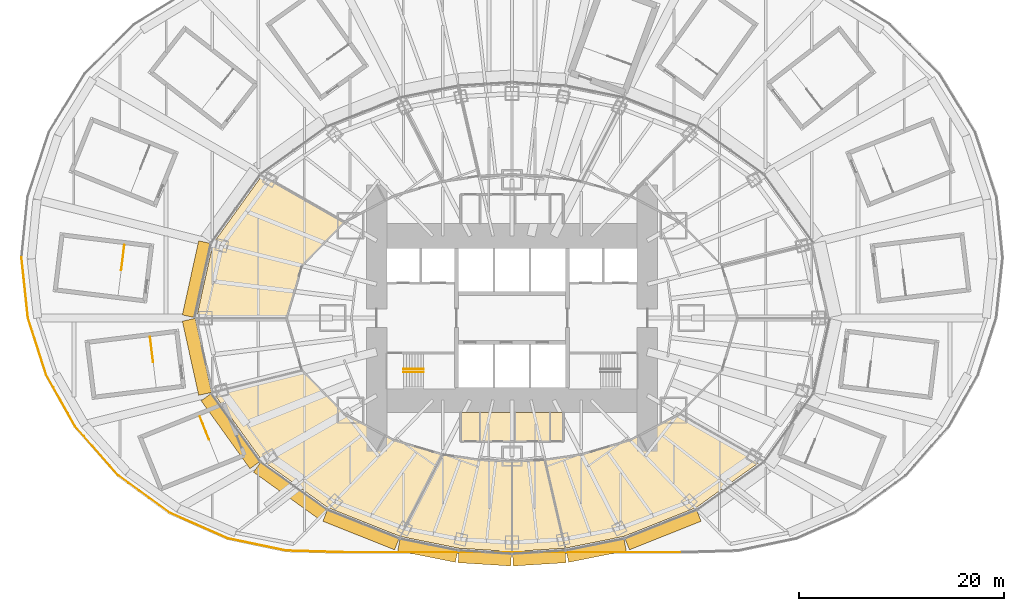
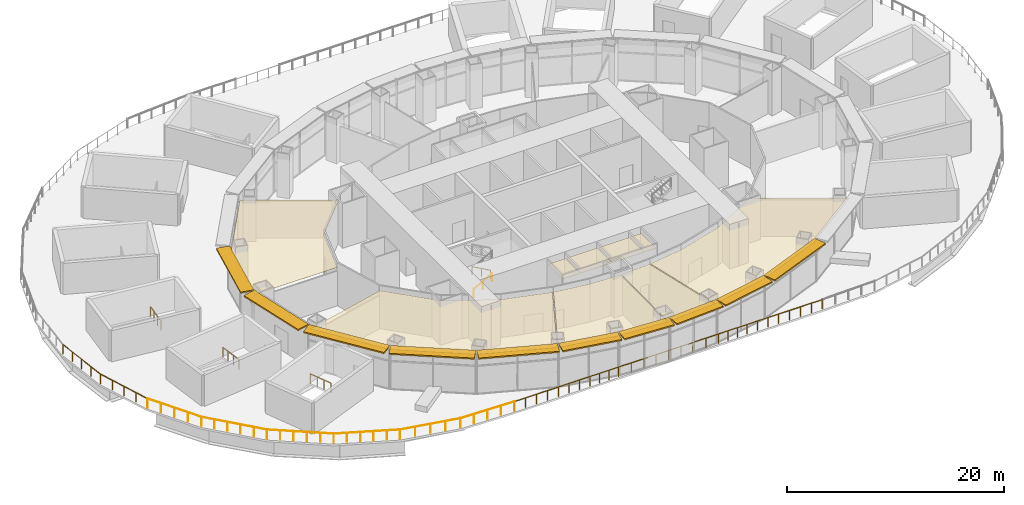
# One storey, part 23 of 25: 23 railings, 10 shading devices, 9 coverings.
"""IFC4 building model written with IfcOpenShell, lengths in metres."""

from ifc_helpers import new_model, si_unit, direction, frame, origin, origin_2d, place, context, subcontext, project, spatial, polyline, rectangle, circle, outline, extrude, material, layer, layer_set, type_object, element, save


model = new_model("IFC4")

# Units and contexts
model_context = context("Model", 3, precision=1e-05, world=origin(), true_north=direction((0.0, 1.0)))
body_context = subcontext(model_context, "Body", "Model", "MODEL_VIEW")
ifc_project = project(units=[si_unit("LENGTHUNIT", "METRE"), si_unit("AREAUNIT", "SQUARE_METRE"), si_unit("VOLUMEUNIT", "CUBIC_METRE"), si_unit("PLANEANGLEUNIT", "RADIAN"), si_unit("MASSUNIT", "GRAM", prefix="KILO")], contexts=[model_context])

# Site, building, storey
site_placement = place(None, origin())
site = spatial("IfcSite", under=ifc_project, at=site_placement, CompositionType="ELEMENT")
building_placement = place(site_placement, origin())
building = spatial("IfcBuilding", under=site, at=building_placement, Name="Lantaw Convention Tower", CompositionType="ELEMENT")
storey_placement = place(building_placement, frame((0.0, 0.0, 32.0)))
storey = spatial("IfcBuildingStorey", under=building, at=storey_placement, Name="L05", CompositionType="ELEMENT", Elevation=32.0)

# Railings
ifc_material_1 = material(Name="Stainless steel and laminated glass", Category="steel")
railing_type_1 = type_object("IfcRailingType", Name="Guard railing 1100", PredefinedType="GUARDRAIL", material=ifc_material_1)
railing_1_placement = place(storey_placement, frame((-37.825439453125, 7.11279296875, 0.0)))
element("IfcRailing", 1, at=railing_1_placement, inside=storey, type_object=railing_type_1, Name="Stair well guard P9", PredefinedType="GUARDRAIL", context=body_context, shape_type="SweptSolid", body=[
    extrude(circle(Radius=0.02392578125, at=origin_2d()), frame((0.0, 0.0, 1.076171875), z_axis=(-0.121875800581, -0.992545358779, 0.0), x_axis=(0.992545358779, -0.121875800581, 0.0)), (0.0, 0.0, 1.0), 2.449951171875),
    extrude(circle(Radius=0.02099609375, at=origin_2d()), origin(), (0.0, 0.0, 1.0), 1.052001953125),
    extrude(circle(Radius=0.02099609375, at=origin_2d()), frame((-0.099609375, -0.810546875, 0.0)), (0.0, 0.0, 1.0), 1.052001953125),
    extrude(circle(Radius=0.02099609375, at=origin_2d()), frame((-0.198974609375, -1.62109375, 0.0)), (0.0, 0.0, 1.0), 1.052001953125),
    extrude(circle(Radius=0.02099609375, at=origin_2d()), frame((-0.298583984375, -2.431640625, 0.0)), (0.0, 0.0, 1.0), 1.052001953125),
])
railing_2_placement = place(storey_placement, frame((-35.308349609375, -1.866943359375, 0.0)))
element("IfcRailing", 2, at=railing_2_placement, inside=storey, type_object=railing_type_1, Name="Stair well guard P10", PredefinedType="GUARDRAIL", context=body_context, shape_type="SweptSolid", body=[
    extrude(circle(Radius=0.02392578125, at=origin_2d()), frame((0.0, 0.0, 1.076171875), z_axis=(0.121875800581, -0.992545358779, 0.0), x_axis=(0.992545358779, 0.121875800581, 0.0)), (0.0, 0.0, 1.0), 2.449951171875),
    extrude(circle(Radius=0.02099609375, at=origin_2d()), origin(), (0.0, 0.0, 1.0), 1.052001953125),
    extrude(circle(Radius=0.02099609375, at=origin_2d()), frame((0.099609375, -0.810546875, 0.0)), (0.0, 0.0, 1.0), 1.052001953125),
    extrude(circle(Radius=0.02099609375, at=origin_2d()), frame((0.198974609375, -1.62109375, 0.0)), (0.0, 0.0, 1.0), 1.052001953125),
    extrude(circle(Radius=0.02099609375, at=origin_2d()), frame((0.298583984375, -2.431640625, 0.0)), (0.0, 0.0, 1.0), 1.052001953125),
])
railing_3_placement = place(storey_placement, frame((-30.46484375, -9.58984375, 0.0)))
element("IfcRailing", 3, at=railing_3_placement, inside=storey, type_object=railing_type_1, Name="Stair well guard P11", PredefinedType="GUARDRAIL", context=body_context, shape_type="SweptSolid", body=[
    extrude(circle(Radius=0.02392578125, at=origin_2d()), frame((0.0, 0.0, 1.076171875), z_axis=(0.372610271183, -0.92798792331, 0.0), x_axis=(0.92798792331, 0.372610271183, 0.0)), (0.0, 0.0, 1.0), 2.449951171875),
    extrude(circle(Radius=0.02099609375, at=origin_2d()), origin(), (0.0, 0.0, 1.0), 1.052001953125),
    extrude(circle(Radius=0.02099609375, at=origin_2d()), frame((0.30419921875, -0.7578125, 0.0)), (0.0, 0.0, 1.0), 1.052001953125),
    extrude(circle(Radius=0.02099609375, at=origin_2d()), frame((0.608642578125, -1.515625, 0.0)), (0.0, 0.0, 1.0), 1.052001953125),
    extrude(circle(Radius=0.02099609375, at=origin_2d()), frame((0.912841796875, -2.2734375, 0.0)), (0.0, 0.0, 1.0), 1.052001953125),
])
ifc_material_2 = material(Name="Stainless steel", Category="steel")
railing_type_2 = type_object("IfcRailingType", Name="Stair handrail", PredefinedType="HANDRAIL", material=ifc_material_2)
railing_4_placement = place(storey_placement, frame((-10.580078125, -5.280029296875, 0.15625)))
element("IfcRailing", 4, at=railing_4_placement, inside=storey, type_object=railing_type_2, Name="Stair handrail S1", PredefinedType="HANDRAIL", context=body_context, shape_type="SweptSolid", body=[
    extrude(circle(Radius=0.02392578125, at=origin_2d()), frame((0.0, 0.0, 0.8759765625), z_axis=(0.873232148454, 0.0, 0.487304437602), x_axis=(0.0, 1.0, 0.0)), (0.0, 0.0, 1.0), 2.244384765625),
    extrude(circle(Radius=0.02099609375, at=origin_2d()), origin(), (0.0, 0.0, 1.0), 0.851806640625),
    extrude(circle(Radius=0.02099609375, at=origin_2d()), frame((0.97998046875, 0.0, 0.546875)), (0.0, 0.0, 1.0), 0.851806640625),
    extrude(circle(Radius=0.02099609375, at=origin_2d()), frame((1.9599609375, 0.0, 1.09375)), (0.0, 0.0, 1.0), 0.851806640625),
])
railing_5_placement = place(storey_placement, frame((-8.6201171875, -4.97998046875, 1.40625)))
element("IfcRailing", 5, at=railing_5_placement, inside=storey, type_object=railing_type_2, Name="Stair handrail S1", PredefinedType="HANDRAIL", context=body_context, shape_type="SweptSolid", body=[
    extrude(circle(Radius=0.02392578125, at=origin_2d()), frame((0.0, 0.0, 0.8759765625), z_axis=(-0.873232148454, 0.0, 0.487304437602), x_axis=(0.0, -1.0, 0.0)), (0.0, 0.0, 1.0), 2.244384765625),
    extrude(circle(Radius=0.02099609375, at=origin_2d()), origin(), (0.0, 0.0, 1.0), 0.851806640625),
    extrude(circle(Radius=0.02099609375, at=origin_2d()), frame((-0.97998046875, 0.0, 0.546875)), (0.0, 0.0, 1.0), 0.851806640625),
    extrude(circle(Radius=0.02099609375, at=origin_2d()), frame((-1.9599609375, 0.0, 1.09375)), (0.0, 0.0, 1.0), 0.851806640625),
])

# Coverings
ifc_material_3 = material(Name="Gypsum board on steel suspension grid", Category="steel")
ifc_layer = layer(ifc_material_3, 0.02001953125)
ifc_layer_set = layer_set([ifc_layer], Name="Suspended ceiling")
covering_type = type_object("IfcCoveringType", Name="Suspended ceiling", PredefinedType="CEILING", material=ifc_layer_set)
covering_1_placement = place(storey_placement, frame((0.0, 0.0, 4.25)))
element("IfcCovering", 6, at=covering_1_placement, inside=storey, type_object=covering_type, Name="Accessible WC ceiling", PredefinedType="CEILING", context=body_context, shape_type="SweptSolid", body=[
    extrude(outline(polyline([(-4.9599609375, -11.993896484375), (-3.139892578125, -11.993896484375), (-3.139892578125, -9.239990234375), (-4.9599609375, -9.239990234375), (-4.9599609375, -11.993896484375)])), origin(), (0.0, 0.0, 1.0), 0.02001953125),
])
covering_2_placement = place(storey_placement, frame((0.0, 0.0, 4.25)))
element("IfcCovering", 7, at=covering_2_placement, inside=storey, type_object=covering_type, Name="Male WC ceiling", PredefinedType="CEILING", context=body_context, shape_type="SweptSolid", body=[
    extrude(outline(polyline([(-3.06005859375, -11.993896484375), (0.260009765625, -11.993896484375), (0.260009765625, -9.239990234375), (-3.06005859375, -9.239990234375), (-3.06005859375, -11.993896484375)])), origin(), (0.0, 0.0, 1.0), 0.02001953125),
])
covering_3_placement = place(storey_placement, frame((0.0, 0.0, 4.25)))
element("IfcCovering", 8, at=covering_3_placement, inside=storey, type_object=covering_type, Name="Female WC ceiling", PredefinedType="CEILING", context=body_context, shape_type="SweptSolid", body=[
    extrude(outline(polyline([(0.340087890625, -11.993896484375), (3.659912109375, -11.993896484375), (3.659912109375, -9.239990234375), (0.340087890625, -9.239990234375), (0.340087890625, -11.993896484375)])), origin(), (0.0, 0.0, 1.0), 0.02001953125),
])
covering_4_placement = place(storey_placement, frame((0.0, 0.0, 4.25)))
element("IfcCovering", 9, at=covering_4_placement, inside=storey, type_object=covering_type, Name="Pantry ceiling", PredefinedType="CEILING", context=body_context, shape_type="SweptSolid", body=[
    extrude(outline(polyline([(3.739990234375, -11.993896484375), (4.9599609375, -11.993896484375), (4.9599609375, -9.239990234375), (3.739990234375, -9.239990234375), (3.739990234375, -11.993896484375)])), origin(), (0.0, 0.0, 1.0), 0.02001953125),
])
covering_5_placement = place(storey_placement, frame((0.0, 0.0, 4.25)))
element("IfcCovering", 10, at=covering_5_placement, inside=storey, type_object=covering_type, Name="Spa treatment room ceiling", PredefinedType="CEILING", context=body_context, shape_type="SweptSolid", body=[
    extrude(outline(polyline([(-16.433837890625, 9.344482421875), (-24.423095703125, 13.8564453125), (-29.184814453125, 7.237060546875), (-30.77099609375, 0.0400390625), (-22.02978515625, 0.0400390625), (-20.51953125, 5.1279296875), (-16.433837890625, 9.344482421875)])), origin(), (0.0, 0.0, 1.0), 0.02001953125),
])
covering_6_placement = place(storey_placement, frame((0.0, 0.0, 4.25)))
element("IfcCovering", 11, at=covering_6_placement, inside=storey, type_object=covering_type, Name="Hotel sales office ceiling", PredefinedType="CEILING", context=body_context, shape_type="SweptSolid", body=[
    extrude(outline(polyline([(-20.49658203125, -5.151611328125), (-29.155029296875, -7.2783203125), (-24.406005859375, -13.880126953125), (-17.951171875, -18.50634765625), (-10.930908203125, -21.294921875), (-6.84326171875, -13.34228515625), (-11.53369140625, -11.965087890625), (-16.393310546875, -9.38623046875), (-20.49658203125, -5.151611328125)])), origin(), (0.0, 0.0, 1.0), 0.02001953125),
])
covering_7_placement = place(storey_placement, frame((0.0, 0.0, 4.25)))
element("IfcCovering", 12, at=covering_7_placement, inside=storey, type_object=covering_type, Name="Health club changing room ceiling", PredefinedType="CEILING", context=body_context, shape_type="SweptSolid", body=[
    extrude(outline(polyline([(-6.76318359375, -13.361328125), (-10.852294921875, -21.31689453125), (-5.20556640625, -22.456298828125), (-0.0400390625, -22.781982421875), (-0.0400390625, -14.0380859375), (-3.20166015625, -13.89111328125), (-6.76318359375, -13.361328125)])), origin(), (0.0, 0.0, 1.0), 0.02001953125),
])
covering_8_placement = place(storey_placement, frame((0.0, 0.0, 4.25)))
element("IfcCovering", 13, at=covering_8_placement, inside=storey, type_object=covering_type, Name="First-aid room ceiling", PredefinedType="CEILING", context=body_context, shape_type="SweptSolid", body=[
    extrude(outline(polyline([(0.0400390625, -14.0380859375), (0.0400390625, -22.781982421875), (5.1611328125, -22.458984375), (3.16650390625, -13.892822265625), (0.0400390625, -14.0380859375)])), origin(), (0.0, 0.0, 1.0), 0.02001953125),
])
covering_9_placement = place(storey_placement, frame((0.0, 0.0, 4.25)))
element("IfcCovering", 14, at=covering_9_placement, inside=storey, type_object=covering_type, Name="Hotel administration office ceiling", PredefinedType="CEILING", context=body_context, shape_type="SweptSolid", body=[
    extrude(outline(polyline([(3.24658203125, -13.884521484375), (5.240966796875, -22.448974609375), (10.900390625, -21.30712890625), (17.951171875, -18.50634765625), (24.3603515625, -13.912841796875), (16.368408203125, -9.3994140625), (11.53369140625, -11.965087890625), (6.794189453125, -13.356689453125), (3.24658203125, -13.884521484375)])), origin(), (0.0, 0.0, 1.0), 0.02001953125),
])

# Railings
ifc_material_4 = material(Name="Stainless steel posts and laminated glass, pale silver finish", Category="steel")
railing_type_3 = type_object("IfcRailingType", Name="Terrace guard railing 1100", PredefinedType="GUARDRAIL", material=ifc_material_4)
railing_6_placement = place(storey_placement, frame((-47.84912109375, 5.89404296875, 0.0)))
element("IfcRailing", 15, at=railing_6_placement, inside=storey, type_object=railing_type_3, Name="Terrace guard", PredefinedType="GUARDRAIL", context=body_context, shape_type="SweptSolid", body=[
    extrude(circle(Radius=0.02392578125, at=origin_2d()), frame((0.0, 0.0, 1.076171875), z_axis=(0.105840067106, -0.994383165684, 0.0), x_axis=(0.994383165684, 0.105840067106, 0.0)), (0.0, 0.0, 1.0), 5.89599609375),
    extrude(circle(Radius=0.02099609375, at=origin_2d()), origin(), (0.0, 0.0, 1.0), 1.052001953125),
    extrude(circle(Radius=0.02099609375, at=origin_2d()), frame((0.156005859375, -1.4658203125, 0.0)), (0.0, 0.0, 1.0), 1.052001953125),
    extrude(circle(Radius=0.02099609375, at=origin_2d()), frame((0.31201171875, -2.931396484375, 0.0)), (0.0, 0.0, 1.0), 1.052001953125),
    extrude(circle(Radius=0.02099609375, at=origin_2d()), frame((0.468017578125, -4.39697265625, 0.0)), (0.0, 0.0, 1.0), 1.052001953125),
    extrude(circle(Radius=0.02099609375, at=origin_2d()), frame((0.6240234375, -5.86279296875, 0.0)), (0.0, 0.0, 1.0), 1.052001953125),
])
railing_7_placement = place(storey_placement, frame((-47.22509765625, 0.03125, 0.0)))
element("IfcRailing", 16, at=railing_7_placement, inside=storey, type_object=railing_type_3, Name="Terrace guard", PredefinedType="GUARDRAIL", context=body_context, shape_type="SweptSolid", body=[
    extrude(circle(Radius=0.02392578125, at=origin_2d()), frame((0.0, 0.0, 1.076171875), z_axis=(0.3049802821, -0.952358665383, 0.0), x_axis=(0.952358665383, 0.3049802821, 0.0)), (0.0, 0.0, 1.0), 5.84619140625),
    extrude(circle(Radius=0.02099609375, at=origin_2d()), origin(), (0.0, 0.0, 1.0), 1.052001953125),
    extrude(circle(Radius=0.02099609375, at=origin_2d()), frame((0.44580078125, -1.391845703125, 0.0)), (0.0, 0.0, 1.0), 1.052001953125),
    extrude(circle(Radius=0.02099609375, at=origin_2d()), frame((0.8916015625, -2.78369140625, 0.0)), (0.0, 0.0, 1.0), 1.052001953125),
    extrude(circle(Radius=0.02099609375, at=origin_2d()), frame((1.337158203125, -4.17578125, 0.0)), (0.0, 0.0, 1.0), 1.052001953125),
    extrude(circle(Radius=0.02099609375, at=origin_2d()), frame((1.782958984375, -5.567626953125, 0.0)), (0.0, 0.0, 1.0), 1.052001953125),
])
railing_8_placement = place(storey_placement, frame((-45.442138671875, -5.536376953125, 0.0)))
element("IfcRailing", 17, at=railing_8_placement, inside=storey, type_object=railing_type_3, Name="Terrace guard", PredefinedType="GUARDRAIL", context=body_context, shape_type="SweptSolid", body=[
    extrude(circle(Radius=0.02392578125, at=origin_2d()), frame((0.0, 0.0, 1.076171875), z_axis=(0.489560149533, -0.871969529278, 0.0), x_axis=(0.871969529278, 0.489560149533, 0.0)), (0.0, 0.0, 1.0), 5.771484375),
    extrude(circle(Radius=0.02099609375, at=origin_2d()), origin(), (0.0, 0.0, 1.0), 1.052001953125),
    extrude(circle(Radius=0.02099609375, at=origin_2d()), frame((0.706298828125, -1.258056640625, 0.0)), (0.0, 0.0, 1.0), 1.052001953125),
    extrude(circle(Radius=0.02099609375, at=origin_2d()), frame((1.41259765625, -2.51611328125, 0.0)), (0.0, 0.0, 1.0), 1.052001953125),
    extrude(circle(Radius=0.02099609375, at=origin_2d()), frame((2.119140625, -3.7744140625, 0.0)), (0.0, 0.0, 1.0), 1.052001953125),
    extrude(circle(Radius=0.02099609375, at=origin_2d()), frame((2.825439453125, -5.032470703125, 0.0)), (0.0, 0.0, 1.0), 1.052001953125),
])
railing_9_placement = place(storey_placement, frame((-42.61669921875, -10.56884765625, 0.0)))
element("IfcRailing", 18, at=railing_9_placement, inside=storey, type_object=railing_type_3, Name="Terrace guard", PredefinedType="GUARDRAIL", context=body_context, shape_type="SweptSolid", body=[
    extrude(circle(Radius=0.02392578125, at=origin_2d()), frame((0.0, 0.0, 1.076171875), z_axis=(0.661179044012, -0.750228146472, 0.0), x_axis=(0.750228146472, 0.661179044012, 0.0)), (0.0, 0.0, 1.0), 6.368896484375),
    extrude(circle(Radius=0.02099609375, at=origin_2d()), origin(), (0.0, 0.0, 1.0), 1.052001953125),
    extrude(circle(Radius=0.02099609375, at=origin_2d()), frame((0.84228515625, -0.95556640625, 0.0)), (0.0, 0.0, 1.0), 1.052001953125),
    extrude(circle(Radius=0.02099609375, at=origin_2d()), frame((1.684326171875, -1.9111328125, 0.0)), (0.0, 0.0, 1.0), 1.052001953125),
    extrude(circle(Radius=0.02099609375, at=origin_2d()), frame((2.526611328125, -2.866943359375, 0.0)), (0.0, 0.0, 1.0), 1.052001953125),
    extrude(circle(Radius=0.02099609375, at=origin_2d()), frame((3.36865234375, -3.822509765625, 0.0)), (0.0, 0.0, 1.0), 1.052001953125),
    extrude(circle(Radius=0.02099609375, at=origin_2d()), frame((4.2109375, -4.778076171875, 0.0)), (0.0, 0.0, 1.0), 1.052001953125),
])
railing_10_placement = place(storey_placement, frame((-38.40576171875, -15.346923828125, 0.0)))
element("IfcRailing", 19, at=railing_10_placement, inside=storey, type_object=railing_type_3, Name="Terrace guard", PredefinedType="GUARDRAIL", context=body_context, shape_type="SweptSolid", body=[
    extrude(circle(Radius=0.02392578125, at=origin_2d()), frame((0.0, 0.0, 1.076171875), z_axis=(0.807915680188, -0.589298102581, 0.0), x_axis=(0.589298102581, 0.807915680188, 0.0)), (0.0, 0.0, 1.0), 6.19580078125),
    extrude(circle(Radius=0.02099609375, at=origin_2d()), origin(), (0.0, 0.0, 1.0), 1.052001953125),
    extrude(circle(Radius=0.02099609375, at=origin_2d()), frame((1.001220703125, -0.730224609375, 0.0)), (0.0, 0.0, 1.0), 1.052001953125),
    extrude(circle(Radius=0.02099609375, at=origin_2d()), frame((2.002197265625, -1.46044921875, 0.0)), (0.0, 0.0, 1.0), 1.052001953125),
    extrude(circle(Radius=0.02099609375, at=origin_2d()), frame((3.00341796875, -2.190673828125, 0.0)), (0.0, 0.0, 1.0), 1.052001953125),
    extrude(circle(Radius=0.02099609375, at=origin_2d()), frame((4.00439453125, -2.9208984375, 0.0)), (0.0, 0.0, 1.0), 1.052001953125),
    extrude(circle(Radius=0.02099609375, at=origin_2d()), frame((5.005615234375, -3.651123046875, 0.0)), (0.0, 0.0, 1.0), 1.052001953125),
])
railing_11_placement = place(storey_placement, frame((-33.400146484375, -18.998046875, 0.0)))
element("IfcRailing", 20, at=railing_11_placement, inside=storey, type_object=railing_type_3, Name="Terrace guard", PredefinedType="GUARDRAIL", context=body_context, shape_type="SweptSolid", body=[
    extrude(circle(Radius=0.02392578125, at=origin_2d()), frame((0.0, 0.0, 1.076171875), z_axis=(0.914848046924, -0.403798280134, 0.0), x_axis=(0.403798280134, 0.914848046924, 0.0)), (0.0, 0.0, 1.0), 6.15966796875),
    extrude(circle(Radius=0.02099609375, at=origin_2d()), origin(), (0.0, 0.0, 1.0), 1.052001953125),
    extrude(circle(Radius=0.02099609375, at=origin_2d()), frame((1.126953125, -0.49755859375, 0.0)), (0.0, 0.0, 1.0), 1.052001953125),
    extrude(circle(Radius=0.02099609375, at=origin_2d()), frame((2.254150390625, -0.994873046875, 0.0)), (0.0, 0.0, 1.0), 1.052001953125),
    extrude(circle(Radius=0.02099609375, at=origin_2d()), frame((3.381103515625, -1.492431640625, 0.0)), (0.0, 0.0, 1.0), 1.052001953125),
    extrude(circle(Radius=0.02099609375, at=origin_2d()), frame((4.50830078125, -1.98974609375, 0.0)), (0.0, 0.0, 1.0), 1.052001953125),
    extrude(circle(Radius=0.02099609375, at=origin_2d()), frame((5.63525390625, -2.4873046875, 0.0)), (0.0, 0.0, 1.0), 1.052001953125),
])
railing_12_placement = place(storey_placement, frame((-27.764892578125, -21.4853515625, 0.0)))
element("IfcRailing", 21, at=railing_12_placement, inside=storey, type_object=railing_type_3, Name="Terrace guard", PredefinedType="GUARDRAIL", context=body_context, shape_type="SweptSolid", body=[
    extrude(circle(Radius=0.02392578125, at=origin_2d()), frame((0.0, 0.0, 1.076171875), z_axis=(0.978624960943, -0.205653071503, 0.0), x_axis=(0.205653071503, 0.978624960943, 0.0)), (0.0, 0.0, 1.0), 5.8525390625),
    extrude(circle(Radius=0.02099609375, at=origin_2d()), origin(), (0.0, 0.0, 1.0), 1.052001953125),
    extrude(circle(Radius=0.02099609375, at=origin_2d()), frame((1.431884765625, -0.30078125, 0.0)), (0.0, 0.0, 1.0), 1.052001953125),
    extrude(circle(Radius=0.02099609375, at=origin_2d()), frame((2.86376953125, -0.601806640625, 0.0)), (0.0, 0.0, 1.0), 1.052001953125),
    extrude(circle(Radius=0.02099609375, at=origin_2d()), frame((4.295654296875, -0.90283203125, 0.0)), (0.0, 0.0, 1.0), 1.052001953125),
    extrude(circle(Radius=0.02099609375, at=origin_2d()), frame((5.7275390625, -1.20361328125, 0.0)), (0.0, 0.0, 1.0), 1.052001953125),
])
railing_13_placement = place(storey_placement, frame((-22.037353515625, -22.68896484375, 0.0)))
element("IfcRailing", 22, at=railing_13_placement, inside=storey, type_object=railing_type_3, Name="Terrace guard", PredefinedType="GUARDRAIL", context=body_context, shape_type="SweptSolid", body=[
    extrude(circle(Radius=0.02392578125, at=origin_2d()), frame((0.0, 0.0, 1.076171875), z_axis=(0.999591238046, -0.028589452986, 0.0), x_axis=(0.028589452986, 0.999591238046, 0.0)), (0.0, 0.0, 1.0), 5.635986328125),
    extrude(circle(Radius=0.02099609375, at=origin_2d()), origin(), (0.0, 0.0, 1.0), 1.052001953125),
    extrude(circle(Radius=0.02099609375, at=origin_2d()), frame((1.408447265625, -0.040283203125, 0.0)), (0.0, 0.0, 1.0), 1.052001953125),
    extrude(circle(Radius=0.02099609375, at=origin_2d()), frame((2.81689453125, -0.08056640625, 0.0)), (0.0, 0.0, 1.0), 1.052001953125),
    extrude(circle(Radius=0.02099609375, at=origin_2d()), frame((4.225341796875, -0.120849609375, 0.0)), (0.0, 0.0, 1.0), 1.052001953125),
    extrude(circle(Radius=0.02099609375, at=origin_2d()), frame((5.6337890625, -0.1611328125, 0.0)), (0.0, 0.0, 1.0), 1.052001953125),
])
railing_14_placement = place(storey_placement, frame((-16.403564453125, -22.85009765625, 0.0)))
element("IfcRailing", 23, at=railing_14_placement, inside=storey, type_object=railing_type_3, Name="Terrace guard", PredefinedType="GUARDRAIL", context=body_context, shape_type="SweptSolid", body=[
    extrude(circle(Radius=0.02392578125, at=origin_2d()), frame((0.0, 0.0, 1.076171875), z_axis=(1.0, 0.0, 0.0), x_axis=(0.0, 1.0, 0.0)), (0.0, 0.0, 1.0), 4.6845703125),
    extrude(circle(Radius=0.02099609375, at=origin_2d()), origin(), (0.0, 0.0, 1.0), 1.052001953125),
    extrude(circle(Radius=0.02099609375, at=origin_2d()), frame((1.171142578125, 0.0, 0.0)), (0.0, 0.0, 1.0), 1.052001953125),
    extrude(circle(Radius=0.02099609375, at=origin_2d()), frame((2.34228515625, 0.0, 0.0)), (0.0, 0.0, 1.0), 1.052001953125),
    extrude(circle(Radius=0.02099609375, at=origin_2d()), frame((3.513427734375, 0.0, 0.0)), (0.0, 0.0, 1.0), 1.052001953125),
    extrude(circle(Radius=0.02099609375, at=origin_2d()), frame((4.6845703125, 0.0, 0.0)), (0.0, 0.0, 1.0), 1.052001953125),
])
railing_15_placement = place(storey_placement, frame((-11.718994140625, -22.85009765625, 0.0)))
element("IfcRailing", 24, at=railing_15_placement, inside=storey, type_object=railing_type_3, Name="Terrace guard", PredefinedType="GUARDRAIL", context=body_context, shape_type="SweptSolid", body=[
    extrude(circle(Radius=0.02392578125, at=origin_2d()), frame((0.0, 0.0, 1.076171875), z_axis=(1.0, 0.0, 0.0), x_axis=(0.0, 1.0, 0.0)), (0.0, 0.0, 1.0), 3.34765625),
    extrude(circle(Radius=0.02099609375, at=origin_2d()), origin(), (0.0, 0.0, 1.0), 1.052001953125),
    extrude(circle(Radius=0.02099609375, at=origin_2d()), frame((1.115966796875, 0.0, 0.0)), (0.0, 0.0, 1.0), 1.052001953125),
    extrude(circle(Radius=0.02099609375, at=origin_2d()), frame((2.231689453125, 0.0, 0.0)), (0.0, 0.0, 1.0), 1.052001953125),
    extrude(circle(Radius=0.02099609375, at=origin_2d()), frame((3.34765625, 0.0, 0.0)), (0.0, 0.0, 1.0), 1.052001953125),
])
railing_16_placement = place(storey_placement, frame((-8.371337890625, -22.85009765625, 0.0)))
element("IfcRailing", 25, at=railing_16_placement, inside=storey, type_object=railing_type_3, Name="Terrace guard", PredefinedType="GUARDRAIL", context=body_context, shape_type="SweptSolid", body=[
    extrude(circle(Radius=0.02392578125, at=origin_2d()), frame((0.0, 0.0, 1.076171875), z_axis=(1.0, 0.0, 0.0), x_axis=(0.0, 1.0, 0.0)), (0.0, 0.0, 1.0), 3.061279296875),
    extrude(circle(Radius=0.02099609375, at=origin_2d()), origin(), (0.0, 0.0, 1.0), 1.052001953125),
    extrude(circle(Radius=0.02099609375, at=origin_2d()), frame((1.0205078125, 0.0, 0.0)), (0.0, 0.0, 1.0), 1.052001953125),
    extrude(circle(Radius=0.02099609375, at=origin_2d()), frame((2.040771484375, 0.0, 0.0)), (0.0, 0.0, 1.0), 1.052001953125),
    extrude(circle(Radius=0.02099609375, at=origin_2d()), frame((3.061279296875, 0.0, 0.0)), (0.0, 0.0, 1.0), 1.052001953125),
])
railing_17_placement = place(storey_placement, frame((-5.31005859375, -22.85009765625, 0.0)))
element("IfcRailing", 26, at=railing_17_placement, inside=storey, type_object=railing_type_3, Name="Terrace guard", PredefinedType="GUARDRAIL", context=body_context, shape_type="SweptSolid", body=[
    extrude(circle(Radius=0.02392578125, at=origin_2d()), frame((0.0, 0.0, 1.076171875), z_axis=(1.0, 0.0, 0.0), x_axis=(0.0, 1.0, 0.0)), (0.0, 0.0, 1.0), 2.689453125),
    extrude(circle(Radius=0.02099609375, at=origin_2d()), origin(), (0.0, 0.0, 1.0), 1.052001953125),
    extrude(circle(Radius=0.02099609375, at=origin_2d()), frame((1.3447265625, 0.0, 0.0)), (0.0, 0.0, 1.0), 1.052001953125),
    extrude(circle(Radius=0.02099609375, at=origin_2d()), frame((2.689453125, 0.0, 0.0)), (0.0, 0.0, 1.0), 1.052001953125),
])
for number, where, name in (
    (27, (-2.62060546875, -22.85009765625, 0.0), "Terrace guard"),
    (28, (0.0, -22.85009765625, 0.0), "Terrace guard"),
):
    element("IfcRailing", number, at=place(storey_placement, frame(where)), inside=storey, type_object=railing_type_3, Name=name, PredefinedType="GUARDRAIL", context=body_context, shape_type="SweptSolid", body=[
        extrude(circle(Radius=0.02392578125, at=origin_2d()), frame((0.0, 0.0, 1.076171875), z_axis=(1.0, 0.0, 0.0), x_axis=(0.0, 1.0, 0.0)), (0.0, 0.0, 1.0), 2.62060546875),
        extrude(circle(Radius=0.02099609375, at=origin_2d()), origin(), (0.0, 0.0, 1.0), 1.052001953125),
        extrude(circle(Radius=0.02099609375, at=origin_2d()), frame((1.310302734375, 0.0, 0.0)), (0.0, 0.0, 1.0), 1.052001953125),
        extrude(circle(Radius=0.02099609375, at=origin_2d()), frame((2.62060546875, 0.0, 0.0)), (0.0, 0.0, 1.0), 1.052001953125),
    ])
railing_18_placement = place(storey_placement, frame((2.62060546875, -22.85009765625, 0.0)))
element("IfcRailing", 29, at=railing_18_placement, inside=storey, type_object=railing_type_3, Name="Terrace guard", PredefinedType="GUARDRAIL", context=body_context, shape_type="SweptSolid", body=[
    extrude(circle(Radius=0.02392578125, at=origin_2d()), frame((0.0, 0.0, 1.076171875), z_axis=(1.0, 0.0, 0.0), x_axis=(0.0, 1.0, 0.0)), (0.0, 0.0, 1.0), 2.689453125),
    extrude(circle(Radius=0.02099609375, at=origin_2d()), origin(), (0.0, 0.0, 1.0), 1.052001953125),
    extrude(circle(Radius=0.02099609375, at=origin_2d()), frame((1.3447265625, 0.0, 0.0)), (0.0, 0.0, 1.0), 1.052001953125),
    extrude(circle(Radius=0.02099609375, at=origin_2d()), frame((2.689453125, 0.0, 0.0)), (0.0, 0.0, 1.0), 1.052001953125),
])
railing_19_placement = place(storey_placement, frame((5.31005859375, -22.85009765625, 0.0)))
element("IfcRailing", 30, at=railing_19_placement, inside=storey, type_object=railing_type_3, Name="Terrace guard", PredefinedType="GUARDRAIL", context=body_context, shape_type="SweptSolid", body=[
    extrude(circle(Radius=0.02392578125, at=origin_2d()), frame((0.0, 0.0, 1.076171875), z_axis=(1.0, 0.0, 0.0), x_axis=(0.0, 1.0, 0.0)), (0.0, 0.0, 1.0), 3.061279296875),
    extrude(circle(Radius=0.02099609375, at=origin_2d()), origin(), (0.0, 0.0, 1.0), 1.052001953125),
    extrude(circle(Radius=0.02099609375, at=origin_2d()), frame((1.0205078125, 0.0, 0.0)), (0.0, 0.0, 1.0), 1.052001953125),
    extrude(circle(Radius=0.02099609375, at=origin_2d()), frame((2.040771484375, 0.0, 0.0)), (0.0, 0.0, 1.0), 1.052001953125),
    extrude(circle(Radius=0.02099609375, at=origin_2d()), frame((3.061279296875, 0.0, 0.0)), (0.0, 0.0, 1.0), 1.052001953125),
])
railing_20_placement = place(storey_placement, frame((8.371337890625, -22.85009765625, 0.0)))
element("IfcRailing", 31, at=railing_20_placement, inside=storey, type_object=railing_type_3, Name="Terrace guard", PredefinedType="GUARDRAIL", context=body_context, shape_type="SweptSolid", body=[
    extrude(circle(Radius=0.02392578125, at=origin_2d()), frame((0.0, 0.0, 1.076171875), z_axis=(1.0, 0.0, 0.0), x_axis=(0.0, 1.0, 0.0)), (0.0, 0.0, 1.0), 3.34765625),
    extrude(circle(Radius=0.02099609375, at=origin_2d()), origin(), (0.0, 0.0, 1.0), 1.052001953125),
    extrude(circle(Radius=0.02099609375, at=origin_2d()), frame((1.115966796875, 0.0, 0.0)), (0.0, 0.0, 1.0), 1.052001953125),
    extrude(circle(Radius=0.02099609375, at=origin_2d()), frame((2.231689453125, 0.0, 0.0)), (0.0, 0.0, 1.0), 1.052001953125),
    extrude(circle(Radius=0.02099609375, at=origin_2d()), frame((3.34765625, 0.0, 0.0)), (0.0, 0.0, 1.0), 1.052001953125),
])
railing_21_placement = place(storey_placement, frame((11.718994140625, -22.85009765625, 0.0)))
element("IfcRailing", 32, at=railing_21_placement, inside=storey, type_object=railing_type_3, Name="Terrace guard", PredefinedType="GUARDRAIL", context=body_context, shape_type="SweptSolid", body=[
    extrude(circle(Radius=0.02392578125, at=origin_2d()), frame((0.0, 0.0, 1.076171875), z_axis=(1.0, 0.0, 0.0), x_axis=(0.0, 1.0, 0.0)), (0.0, 0.0, 1.0), 4.6845703125),
    extrude(circle(Radius=0.02099609375, at=origin_2d()), origin(), (0.0, 0.0, 1.0), 1.052001953125),
    extrude(circle(Radius=0.02099609375, at=origin_2d()), frame((1.171142578125, 0.0, 0.0)), (0.0, 0.0, 1.0), 1.052001953125),
    extrude(circle(Radius=0.02099609375, at=origin_2d()), frame((2.34228515625, 0.0, 0.0)), (0.0, 0.0, 1.0), 1.052001953125),
    extrude(circle(Radius=0.02099609375, at=origin_2d()), frame((3.513427734375, 0.0, 0.0)), (0.0, 0.0, 1.0), 1.052001953125),
    extrude(circle(Radius=0.02099609375, at=origin_2d()), frame((4.6845703125, 0.0, 0.0)), (0.0, 0.0, 1.0), 1.052001953125),
])

# Shading devices
for number, where, z_axis, x_axis, name in (
    (33, (-30.737060546875, 3.783203125, 4.705078125), (0.0, 0.0, 1.0), (-0.215246056391, -0.976559847223, 0.0), "SUNSHADE blade"),
    (34, (-30.737060546875, -3.783203125, 4.705078125), (0.0, 0.0, 1.0), (0.215246056391, -0.976559847223, 0.0), "SUNSHADE blade"),
):
    element("IfcShadingDevice", number, at=place(storey_placement, frame(where, z_axis=z_axis, x_axis=x_axis)), inside=storey, Name=name, ObjectType="SUNSHADE", PredefinedType="USERDEFINED", context=body_context, shape_type="SweptSolid", body=[
        extrude(rectangle(XDim=7.40234375, YDim=1.284912109375, at=origin_2d()), origin(), (0.0, 0.0, 1.0), 0.14990234375),
    ])
shading_device_1_placement = place(storey_placement, frame((-27.425048828125, -11.005859375, 4.705078125), z_axis=(0.0, 0.0, 1.0), x_axis=(0.583951250436, -0.811788726895, 0.0)))
element("IfcShadingDevice", 35, at=shading_device_1_placement, inside=storey, Name="SUNSHADE blade", ObjectType="SUNSHADE", PredefinedType="USERDEFINED", context=body_context, shape_type="SweptSolid", body=[
    extrude(rectangle(XDim=8.162841796875, YDim=1.284912109375, at=origin_2d()), origin(), (0.0, 0.0, 1.0), 0.14990234375),
])
shading_device_2_placement = place(storey_placement, frame((-21.63232421875, -16.818603515625, 4.705078125), z_axis=(0.0, 0.0, 1.0), x_axis=(0.812803733199, -0.5825376308, 0.0)))
element("IfcShadingDevice", 36, at=shading_device_2_placement, inside=storey, Name="SUNSHADE blade", ObjectType="SUNSHADE", PredefinedType="USERDEFINED", context=body_context, shape_type="SweptSolid", body=[
    extrude(rectangle(XDim=7.9033203125, YDim=1.284912109375, at=origin_2d()), origin(), (0.0, 0.0, 1.0), 0.14990234375),
])
shading_device_3_placement = place(storey_placement, frame((-14.71435546875, -20.623291015625, 4.705078125), z_axis=(0.0, 0.0, 1.0), x_axis=(0.929361152748, -0.369171840425, 0.0)))
element("IfcShadingDevice", 37, at=shading_device_3_placement, inside=storey, Name="SUNSHADE blade", ObjectType="SUNSHADE", PredefinedType="USERDEFINED", context=body_context, shape_type="SweptSolid", body=[
    extrude(rectangle(XDim=7.5322265625, YDim=1.284912109375, at=origin_2d()), origin(), (0.0, 0.0, 1.0), 0.14990234375),
])
shading_device_4_placement = place(storey_placement, frame((-8.2080078125, -22.638427734375, 4.705078125), z_axis=(0.0, 0.0, 1.0), x_axis=(0.980244604501, -0.197789067813, 0.0)))
element("IfcShadingDevice", 38, at=shading_device_4_placement, inside=storey, Name="SUNSHADE blade", ObjectType="SUNSHADE", PredefinedType="USERDEFINED", context=body_context, shape_type="SweptSolid", body=[
    extrude(rectangle(XDim=5.74365234375, YDim=1.284912109375, at=origin_2d()), origin(), (0.0, 0.0, 1.0), 0.14990234375),
])
for number, where, z_axis, x_axis, name in (
    (39, (-2.65185546875, -23.391357421875, 4.705078125), (0.0, 0.0, 1.0), (0.998016153807, -0.062958373078, 0.0), "SUNSHADE blade"),
    (40, (2.65185546875, -23.391357421875, 4.705078125), (0.0, 0.0, 1.0), (0.998016153807, 0.062958373078, 0.0), "SUNSHADE blade"),
):
    element("IfcShadingDevice", number, at=place(storey_placement, frame(where, z_axis=z_axis, x_axis=x_axis)), inside=storey, Name=name, ObjectType="SUNSHADE", PredefinedType="USERDEFINED", context=body_context, shape_type="SweptSolid", body=[
        extrude(rectangle(XDim=5.14404296875, YDim=1.284912109375, at=origin_2d()), origin(), (0.0, 0.0, 1.0), 0.14990234375),
    ])
shading_device_5_placement = place(storey_placement, frame((8.2080078125, -22.638427734375, 4.705078125), z_axis=(0.0, 0.0, 1.0), x_axis=(0.980244604501, 0.197789067813, 0.0)))
element("IfcShadingDevice", 41, at=shading_device_5_placement, inside=storey, Name="SUNSHADE blade", ObjectType="SUNSHADE", PredefinedType="USERDEFINED", context=body_context, shape_type="SweptSolid", body=[
    extrude(rectangle(XDim=5.74365234375, YDim=1.284912109375, at=origin_2d()), origin(), (0.0, 0.0, 1.0), 0.14990234375),
])
shading_device_6_placement = place(storey_placement, frame((14.71435546875, -20.623291015625, 4.705078125), z_axis=(0.0, 0.0, 1.0), x_axis=(0.929361152748, 0.369171840425, 0.0)))
element("IfcShadingDevice", 42, at=shading_device_6_placement, inside=storey, Name="SUNSHADE blade", ObjectType="SUNSHADE", PredefinedType="USERDEFINED", context=body_context, shape_type="SweptSolid", body=[
    extrude(rectangle(XDim=7.5322265625, YDim=1.284912109375, at=origin_2d()), origin(), (0.0, 0.0, 1.0), 0.14990234375),
])

save(model, "model.ifc")
